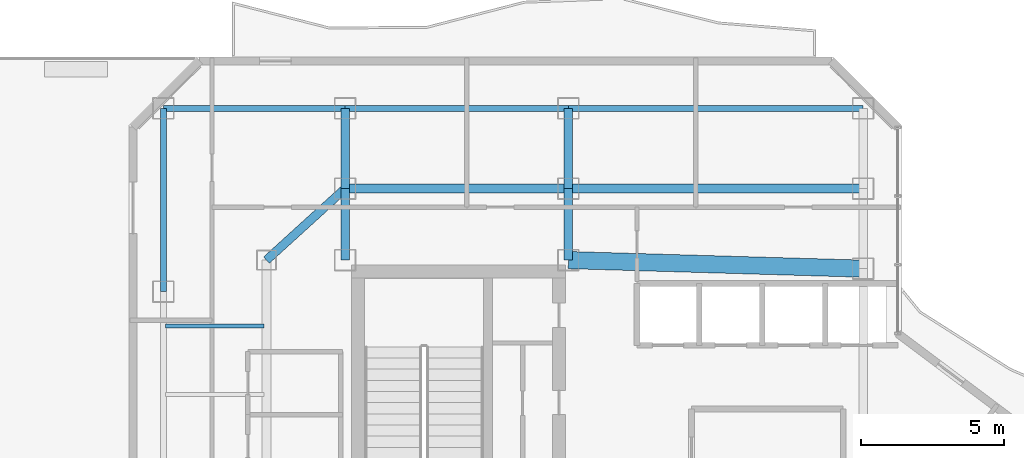
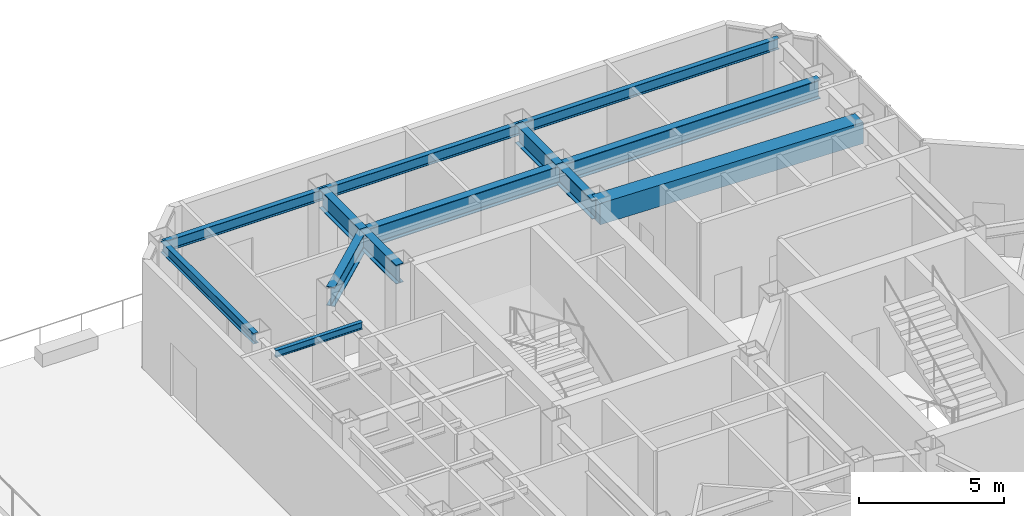
# One storey, part 13 of 21: 13 beams.
"""IFC4 building model written with IfcOpenShell, lengths in metres."""

import ifcopenshell
import ifcopenshell.guid

model = None  # the IFC model being written
_history = None  # IfcOwnerHistory: only IFC2X3 demands one
_inside = {}  # id of a spatial element -> (the spatial element, [elements in it])
_under = {}  # id of a project, library or spatial element -> (it, [spatial elements below it])
_declared = {}  # id of a project -> (the project, [libraries it declares])
_typed = {}  # id of a type object -> (the type object, [elements of that type])
_made_of = {}  # id of a material, layer set ... -> (it, [elements and type objects made of it])


def new_model(schema):
    """Start an empty IFC model of exactly this schema.

    Asked for "IFC4X3", IfcOpenShell would pick the latest addendum, in which some entities
    have other attributes; the version numbers below select the first issue.
    IFC2X3 requires an IfcOwnerHistory on every rooted entity: one is made here for all.
    """
    global model, _history
    if schema == "IFC4X3":
        model = ifcopenshell.file(schema_version=(4, 3, 0, 0))
    else:
        model = ifcopenshell.file(schema=schema)
    _inside.clear()
    _under.clear()
    _declared.clear()
    _typed.clear()
    _made_of.clear()
    _history = None
    if model.schema == "IFC2X3":
        org = make("IfcOrganization", Name="unknown")
        user = make(
            "IfcPersonAndOrganization",
            ThePerson=make("IfcPerson", FamilyName="unknown"),
            TheOrganization=org,
        )
        app = make(
            "IfcApplication",
            ApplicationDeveloper=org,
            Version="unknown",
            ApplicationFullName="unknown",
            ApplicationIdentifier="unknown",
        )
        _history = make(
            "IfcOwnerHistory",
            OwningUser=user,
            OwningApplication=app,
            ChangeAction="ADDED",
            CreationDate=0,
        )
    return model


def make(cls, **values):
    """One entity of the class cls with the attributes given. An attribute that is None is left unset."""
    return model.create_entity(
        cls, **{name: value for name, value in values.items() if value is not None}
    )


def rooted(cls, **values):
    """An entity with a GlobalId (a new one), such as an element, a storey or a relation."""
    return make(cls, GlobalId=ifcopenshell.guid.new(), OwnerHistory=_history, **values)


def si_unit(unit_type, name, prefix=None):
    """IfcSIUnit, for example si_unit("LENGTHUNIT", "METRE", prefix="MILLI")."""
    return make("IfcSIUnit", UnitType=unit_type, Prefix=prefix, Name=name)


def assignment(units):
    """IfcUnitAssignment: the units of a project."""
    return None if units is None else make("IfcUnitAssignment", Units=units)


def point(xyz):
    """IfcCartesianPoint."""
    return None if xyz is None else make("IfcCartesianPoint", Coordinates=xyz)


def direction(xyz):
    """IfcDirection."""
    return None if xyz is None else make("IfcDirection", DirectionRatios=xyz)


def frame(location, z_axis=None, x_axis=None):
    """IfcAxis2Placement3D, a coordinate frame: its origin and axes. An axis left out is left unset."""
    return make(
        "IfcAxis2Placement3D",
        Location=point(location),
        Axis=direction(z_axis),
        RefDirection=direction(x_axis),
    )


def frame_2d(location, x_axis=None):
    """IfcAxis2Placement2D, a coordinate frame in the plane: its origin and x axis."""
    return make(
        "IfcAxis2Placement2D", Location=point(location), RefDirection=direction(x_axis)
    )


def origin():
    """The frame at (0, 0, 0) with its axes left unset."""
    return frame((0.0, 0.0, 0.0))


def origin_2d():
    """The frame at (0, 0) in the plane with its x axis left unset."""
    return frame_2d((0.0, 0.0))


def place(relative_to, where):
    """IfcLocalPlacement: puts the frame where relative to a parent placement (None: the world)."""
    return make(
        "IfcLocalPlacement", PlacementRelTo=relative_to, RelativePlacement=where
    )


def context(
    kind, dimensions, precision=None, world=None, true_north=None, identifier=None
):
    """IfcGeometricRepresentationContext, for example the 3D "Model" context."""
    return make(
        "IfcGeometricRepresentationContext",
        ContextIdentifier=identifier,
        ContextType=kind,
        CoordinateSpaceDimension=dimensions,
        Precision=precision,
        WorldCoordinateSystem=world,
        TrueNorth=true_north,
    )


def subcontext(parent, identifier, kind, view, scale=None):
    """IfcGeometricRepresentationSubContext, for example "Body" below "Model"."""
    return make(
        "IfcGeometricRepresentationSubContext",
        ContextIdentifier=identifier,
        ContextType=kind,
        ParentContext=parent,
        TargetScale=scale,
        TargetView=view,
    )


def project(units=None, contexts=None):
    """IfcProject with its units and contexts."""
    return rooted(
        "IfcProject",
        Name="project",
        RepresentationContexts=contexts,
        UnitsInContext=assignment(units),
    )


def spatial(cls, under=None, at=None, **own):
    """A site, building, storey or space (cls), placed at a placement, below another one or the project."""
    s = rooted(cls, ObjectPlacement=at, **own)
    if under is not None:
        _under.setdefault(under.id(), (under, []))[1].append(s)
    return s


def profile(cls, at=None, kind="AREA", **sizes):
    """A parametric profile (cls). Its sizes go by their IFC names, for example OverallWidth=200.0."""
    return make(cls, ProfileType=kind, Position=at, **sizes)


def rectangle(**sizes):
    """IfcRectangleProfileDef."""
    return profile("IfcRectangleProfileDef", **sizes)


def i_section(**sizes):
    """IfcIShapeProfileDef."""
    return profile("IfcIShapeProfileDef", **sizes)


def extrude(swept, where, along, depth):
    """IfcExtrudedAreaSolid: the profile swept, set in the frame where, extruded along a direction by depth."""
    return make(
        "IfcExtrudedAreaSolid",
        SweptArea=swept,
        Position=where,
        ExtrudedDirection=direction(along),
        Depth=depth,
    )


def shape(context_of_items, identifier, shape_type, items):
    """IfcShapeRepresentation: the items that make up one representation, for example the "Body"."""
    return make(
        "IfcShapeRepresentation",
        ContextOfItems=context_of_items,
        RepresentationIdentifier=identifier,
        RepresentationType=shape_type,
        Items=items,
    )


def material(Name=None, Category=None):
    """IfcMaterial."""
    return make("IfcMaterial", Name=Name, Category=Category)


def material_profile(
    of_material, cross_section, Name=None, Category=None, Priority=None
):
    """IfcMaterialProfile: a cross section and its material."""
    return make(
        "IfcMaterialProfile",
        Name=Name,
        Material=of_material,
        Profile=cross_section,
        Priority=Priority,
        Category=Category,
    )


def profile_set(profiles, Name=None, composite=None):
    """IfcMaterialProfileSet."""
    return make(
        "IfcMaterialProfileSet",
        Name=Name,
        MaterialProfiles=profiles,
        CompositeProfile=composite,
    )


def made_of(thing, what):
    """Note that an element or type object is made of a material, layer set ...; save() writes the relation."""
    if what is not None:
        _made_of.setdefault(what.id(), (what, []))[1].append(thing)
    return thing


def type_object(cls, material=None, **own):
    """A type object (cls), such as IfcWallType, which elements share."""
    return made_of(rooted(cls, **own), material)


def element(
    cls,
    number,
    at=None,
    inside=None,
    cuts=None,
    type_object=None,
    material=None,
    context=None,
    identifier="Body",
    shape_type=None,
    held_by="IfcProductDefinitionShape",
    body=None,
    shapes=None,
    **own,
):
    """One element of the class cls, such as IfcWall. Its Tag is "e" and its number.

    at: its placement. inside: the storey or other place that contains it. cuts: it is an
    opening in that element (IfcRelVoidsElement). A single representation is given by context,
    identifier, shape_type and body (its items); several are given by shapes. held_by: the class
    of the entity that holds the representations. save() writes the other relations.
    """
    e = rooted(cls, Tag="e%d" % number, ObjectPlacement=at, **own)
    if body is not None:
        shapes = [shape(context, identifier, shape_type, body)]
    if shapes is not None:
        e.Representation = make(held_by, Representations=shapes)
    if inside is not None:
        _inside.setdefault(inside.id(), (inside, []))[1].append(e)
    if cuts is not None:
        rooted(
            "IfcRelVoidsElement", RelatingBuildingElement=cuts, RelatedOpeningElement=e
        )
    if type_object is not None:
        _typed.setdefault(type_object.id(), (type_object, []))[1].append(e)
    return made_of(e, material)


def aggregate(whole, parts):
    """IfcRelAggregates: a whole, such as a stair, and the parts it consists of."""
    return rooted("IfcRelAggregates", RelatingObject=whole, RelatedObjects=parts)


def save(model, path):
    """Write the relations noted so far, then the file.

    IfcRelAggregates (storeys below a building ...), IfcRelContainedInSpatialStructure (elements
    in a storey), IfcRelDefinesByType, IfcRelAssociatesMaterial and IfcRelDeclares: one each for
    every whole, place, type object, material and project.
    """
    for whole, parts in _under.values():
        aggregate(whole, parts)
    for where, things in _inside.values():
        rooted(
            "IfcRelContainedInSpatialStructure",
            RelatedElements=things,
            RelatingStructure=where,
        )
    for kind, things in _typed.values():
        rooted("IfcRelDefinesByType", RelatedObjects=things, RelatingType=kind)
    for what, things in _made_of.values():
        rooted("IfcRelAssociatesMaterial", RelatedObjects=things, RelatingMaterial=what)
    for by, libraries in _declared.values():
        rooted("IfcRelDeclares", RelatingContext=by, RelatedDefinitions=libraries)
    model.write(path)


model = new_model("IFC4")

# Units and contexts
model_context = context("Model", 3, precision=1e-05, world=origin(), true_north=direction((0.0, 1.0)))
body_context = subcontext(model_context, "Body", "Model", "MODEL_VIEW")
ifc_project = project(units=[si_unit("LENGTHUNIT", "METRE"), si_unit("AREAUNIT", "SQUARE_METRE"), si_unit("VOLUMEUNIT", "CUBIC_METRE"), si_unit("PLANEANGLEUNIT", "RADIAN"), si_unit("MASSUNIT", "GRAM", prefix="KILO")], contexts=[model_context])

# Site, building, storey
site_placement = place(None, origin())
site = spatial("IfcSite", under=ifc_project, at=site_placement, CompositionType="ELEMENT")
building_placement = place(site_placement, origin())
building = spatial("IfcBuilding", under=site, at=building_placement, Name="Hatsunagi Terrace Concourse", CompositionType="ELEMENT")
storey_placement = place(building_placement, frame((0.0, 0.0, 186.75)))
storey = spatial("IfcBuildingStorey", under=building, at=storey_placement, Name="L49", CompositionType="ELEMENT", Elevation=186.75)

# Beams
ifc_material_1 = material(Name="Concrete Fc42", Category="concrete")
ifc_material_profile_1 = material_profile(ifc_material_1, rectangle(XDim=0.60009765625, YDim=0.89990234375, at=origin_2d()), Name="RC-600x900")
ifc_profile_set_1 = profile_set([ifc_material_profile_1], Name="Concrete Fc42")
beam_type_1 = type_object("IfcBeamType", Name="CoreCouplingBeam_RC_600x900", PredefinedType="BEAM", material=ifc_profile_set_1)
beam_1_placement = place(storey_placement, frame((33.35009765625, 43.300048828125, 4.10009765625), z_axis=(0.999575947545, -0.029119153303, 0.0), x_axis=(0.029119153303, 0.999575947545, 0.0)))
element("IfcBeam", 1, at=beam_1_placement, inside=storey, type_object=beam_type_1, Name="Beam CB-03 CB-L49-2", PredefinedType="BEAM", context=body_context, shape_type="SweptSolid", body=[
    extrude(rectangle(XDim=0.60009765625, YDim=0.89990234375, at=origin_2d()), origin(), (0.0, 0.0, 1.0), 10.30419921875),
])
ifc_material_2 = material(Name="Steel SN490B", Category="steel")
ifc_material_profile_2 = material_profile(ifc_material_2, i_section(OverallWidth=0.14990234375, OverallDepth=0.300048828125, WebThickness=0.006591796875, FlangeThickness=0.009033203125, FilletRadius=0.010986328125, at=origin_2d()), Name="H-300x150x6.5x9")
ifc_profile_set_2 = profile_set([ifc_material_profile_2], Name="Steel SN490B")
beam_type_2 = type_object("IfcBeamType", Name="OfficeJoist_H_300x150", PredefinedType="JOIST", material=ifc_profile_set_2)
beam_2_placement = place(storey_placement, frame((19.264892578125, 41.0, 4.39990234375), z_axis=(1.0, 0.0, 0.0), x_axis=(0.0, 1.0, 0.0)))
element("IfcBeam", 2, at=beam_2_placement, inside=storey, type_object=beam_type_2, Name="Beam J-03 J-L49-W-19-410", PredefinedType="JOIST", context=body_context, shape_type="SweptSolid", body=[
    extrude(i_section(OverallWidth=0.14990234375, OverallDepth=0.300048828125, WebThickness=0.006591796875, FlangeThickness=0.009033203125, FilletRadius=0.010986328125, at=origin_2d()), origin(), (0.0, 0.0, 1.0), 3.4501953125),
])
ifc_material_3 = material(Name="Steel SN490B", Category="steel")
ifc_material_profile_3 = material_profile(ifc_material_3, i_section(OverallWidth=0.199951171875, OverallDepth=0.449951171875, WebThickness=0.009033203125, FlangeThickness=0.013916015625, FilletRadius=0.01611328125, at=origin_2d()), Name="H-450x200x9x14")
ifc_profile_set_3 = profile_set([ifc_material_profile_3], Name="Steel SN490B")
beam_type_3 = type_object("IfcBeamType", Name="PerimeterSpandrel_H_450x200", PredefinedType="SPANDREL", material=ifc_profile_set_3)
beam_3_placement = place(storey_placement, frame((19.199951171875, 48.60009765625, 4.324951171875), z_axis=(1.0, 0.0, 0.0), x_axis=(0.0, 1.0, 0.0)))
element("IfcBeam", 3, at=beam_3_placement, inside=storey, type_object=beam_type_3, Name="Beam SP-02 BM-L49-WN-19", PredefinedType="SPANDREL", context=body_context, shape_type="SweptSolid", body=[
    extrude(i_section(OverallWidth=0.199951171875, OverallDepth=0.449951171875, WebThickness=0.009033203125, FlangeThickness=0.013916015625, FilletRadius=0.01611328125, at=origin_2d()), origin(), (0.0, 0.0, 1.0), 6.35009765625),
])
beam_4_placement = place(storey_placement, frame((25.550048828125, 48.60009765625, 4.324951171875), z_axis=(1.0, 0.0, 0.0), x_axis=(0.0, 1.0, 0.0)))
element("IfcBeam", 4, at=beam_4_placement, inside=storey, type_object=beam_type_3, Name="Beam SP-02 BM-L49-WN-25", PredefinedType="SPANDREL", context=body_context, shape_type="SweptSolid", body=[
    extrude(i_section(OverallWidth=0.199951171875, OverallDepth=0.449951171875, WebThickness=0.009033203125, FlangeThickness=0.013916015625, FilletRadius=0.01611328125, at=origin_2d()), origin(), (0.0, 0.0, 1.0), 7.800048828125),
])
beam_5_placement = place(storey_placement, frame((33.35009765625, 48.60009765625, 4.324951171875), z_axis=(1.0, 0.0, 0.0), x_axis=(0.0, 1.0, 0.0)))
element("IfcBeam", 5, at=beam_5_placement, inside=storey, type_object=beam_type_3, Name="Beam SP-02 BM-L49-WN-33", PredefinedType="SPANDREL", context=body_context, shape_type="SweptSolid", body=[
    extrude(i_section(OverallWidth=0.199951171875, OverallDepth=0.449951171875, WebThickness=0.009033203125, FlangeThickness=0.013916015625, FilletRadius=0.01611328125, at=origin_2d()), origin(), (0.0, 0.0, 1.0), 10.2998046875),
])
beam_6_placement = place(storey_placement, frame((19.199951171875, 42.199951171875, 4.324951171875), z_axis=(0.0, 1.0, 0.0), x_axis=(-1.0, 0.0, 0.0)))
element("IfcBeam", 6, at=beam_6_placement, inside=storey, type_object=beam_type_3, Name="Beam SP-02 BM-L49-NS-19-42", PredefinedType="SPANDREL", context=body_context, shape_type="SweptSolid", body=[
    extrude(i_section(OverallWidth=0.199951171875, OverallDepth=0.449951171875, WebThickness=0.009033203125, FlangeThickness=0.013916015625, FilletRadius=0.01611328125, at=origin_2d()), origin(), (0.0, 0.0, 1.0), 6.400146484375),
])
ifc_material_4 = material(Name="Steel SN490B", Category="steel")
ifc_material_profile_4 = material_profile(ifc_material_4, i_section(OverallWidth=0.300048828125, OverallDepth=0.800048828125, WebThickness=0.013916015625, FlangeThickness=0.02587890625, FilletRadius=0.02197265625, at=origin_2d()), Name="H-800x300x14x26")
ifc_profile_set_4 = profile_set([ifc_material_profile_4], Name="Steel SN490B")
beam_type_4 = type_object("IfcBeamType", Name="SkyLobbyGirder_H_800x300", PredefinedType="BEAM", material=ifc_profile_set_4)
for number, where, z_axis, x_axis, name in (
    (7, (25.550048828125, 43.300048828125, 4.14990234375), (0.0, 1.0, 0.0), (-1.0, 0.0, 0.0), "Beam G-03 BM-L49-CN1"),
    (8, (33.35009765625, 43.300048828125, 4.14990234375), (0.0, 1.0, 0.0), (-1.0, 0.0, 0.0), "Beam G-03 BM-L49-CN2"),
):
    element("IfcBeam", number, at=place(storey_placement, frame(where, z_axis=z_axis, x_axis=x_axis)), inside=storey, type_object=beam_type_4, Name=name, PredefinedType="BEAM", context=body_context, shape_type="SweptSolid", body=[
        extrude(i_section(OverallWidth=0.300048828125, OverallDepth=0.800048828125, WebThickness=0.013916015625, FlangeThickness=0.02587890625, FilletRadius=0.02197265625, at=origin_2d()), origin(), (0.0, 0.0, 1.0), 2.5),
    ])
beam_7_placement = place(storey_placement, frame((25.550048828125, 45.800048828125, 4.14990234375), z_axis=(1.0, 0.0, 0.0), x_axis=(0.0, 1.0, 0.0)))
element("IfcBeam", 9, at=beam_7_placement, inside=storey, type_object=beam_type_4, Name="Beam G-03 BM-L49-CNEW1", PredefinedType="BEAM", context=body_context, shape_type="SweptSolid", body=[
    extrude(i_section(OverallWidth=0.300048828125, OverallDepth=0.800048828125, WebThickness=0.013916015625, FlangeThickness=0.02587890625, FilletRadius=0.02197265625, at=origin_2d()), origin(), (0.0, 0.0, 1.0), 7.800048828125),
])
beam_8_placement = place(storey_placement, frame((33.35009765625, 45.800048828125, 4.14990234375), z_axis=(1.0, 0.0, 0.0), x_axis=(0.0, 1.0, 0.0)))
element("IfcBeam", 10, at=beam_8_placement, inside=storey, type_object=beam_type_4, Name="Beam G-03 BM-L49-CNEW2", PredefinedType="BEAM", context=body_context, shape_type="SweptSolid", body=[
    extrude(i_section(OverallWidth=0.300048828125, OverallDepth=0.800048828125, WebThickness=0.013916015625, FlangeThickness=0.02587890625, FilletRadius=0.02197265625, at=origin_2d()), origin(), (0.0, 0.0, 1.0), 10.2998046875),
])
for number, where, z_axis, x_axis, name in (
    (11, (25.550048828125, 45.800048828125, 4.14990234375), (0.0, 1.0, 0.0), (-1.0, 0.0, 0.0), "Beam G-03 BM-L49-KN-WN4"),
    (12, (33.35009765625, 45.800048828125, 4.14990234375), (0.0, 1.0, 0.0), (-1.0, 0.0, 0.0), "Beam G-03 BM-L49-KN-WN5"),
):
    element("IfcBeam", number, at=place(storey_placement, frame(where, z_axis=z_axis, x_axis=x_axis)), inside=storey, type_object=beam_type_4, Name=name, PredefinedType="BEAM", context=body_context, shape_type="SweptSolid", body=[
        extrude(i_section(OverallWidth=0.300048828125, OverallDepth=0.800048828125, WebThickness=0.013916015625, FlangeThickness=0.02587890625, FilletRadius=0.02197265625, at=origin_2d()), origin(), (0.0, 0.0, 1.0), 2.800048828125),
    ])
beam_9_placement = place(storey_placement, frame((22.800048828125, 43.300048828125, 4.14990234375), z_axis=(0.739940073396, 0.672672793996, 0.0), x_axis=(-0.672672793996, 0.739940073396, 0.0)))
element("IfcBeam", 13, at=beam_9_placement, inside=storey, type_object=beam_type_4, Name="Beam G-03 BM-L49-CWEW-N", PredefinedType="BEAM", context=body_context, shape_type="SweptSolid", body=[
    extrude(i_section(OverallWidth=0.300048828125, OverallDepth=0.800048828125, WebThickness=0.013916015625, FlangeThickness=0.02587890625, FilletRadius=0.02197265625, at=origin_2d()), origin(), (0.0, 0.0, 1.0), 3.716552734375),
])

save(model, "model.ifc")
